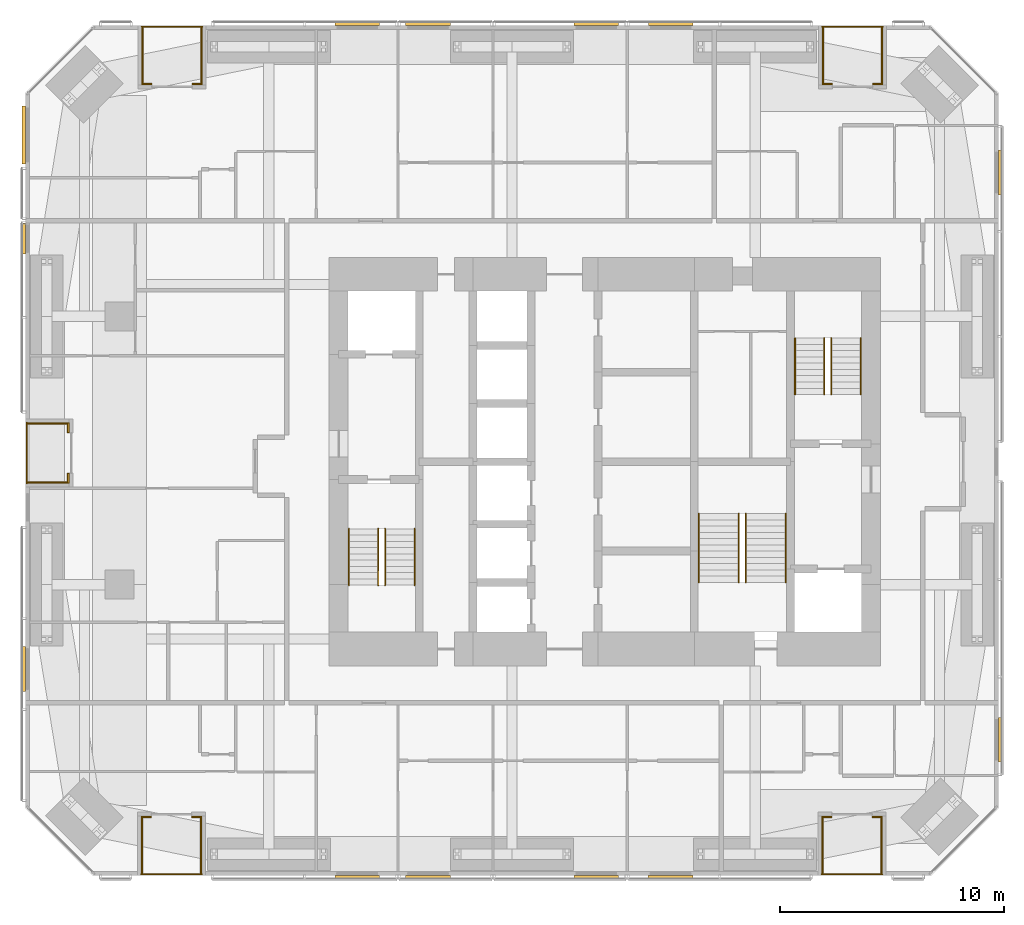
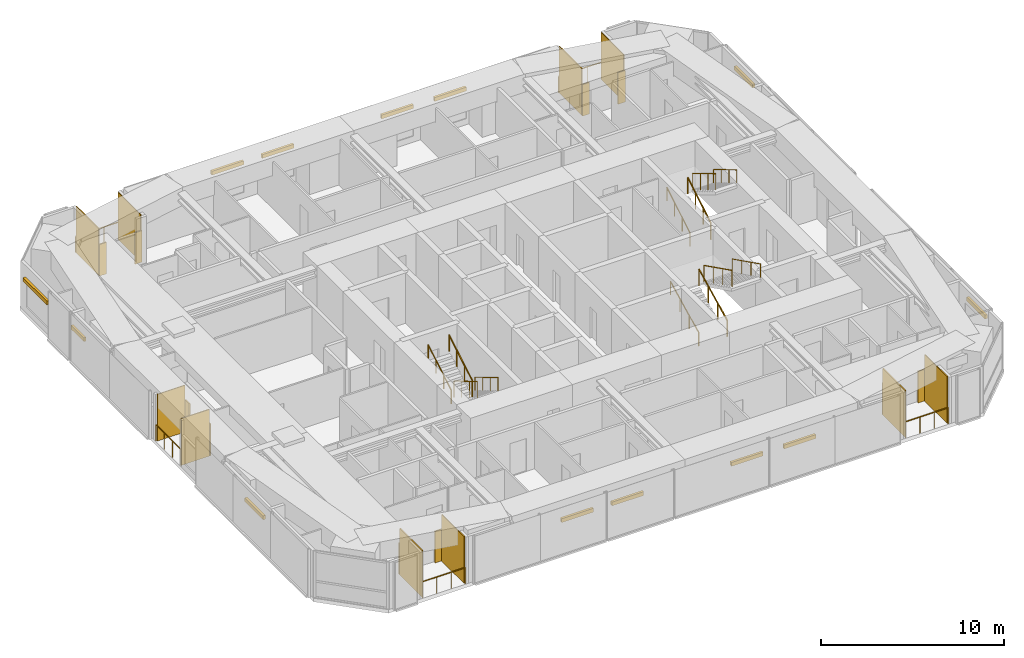
# One storey, part 23 of 23: 33 shading devices, 17 railings.
"""IFC4 building model written with IfcOpenShell, lengths in metres."""

from ifc_helpers import new_model, si_unit, direction, frame, origin, origin_2d, place, context, subcontext, project, spatial, rectangle, circle, extrude, material, layer, layer_set, constituent, constituent_set, type_object, element, save


model = new_model("IFC4")

# Units and contexts
model_context = context("Model", 3, precision=1e-05, world=origin(), true_north=direction((0.0, 1.0)))
body_context = subcontext(model_context, "Body", "Model", "MODEL_VIEW")
ifc_project = project(units=[si_unit("LENGTHUNIT", "METRE"), si_unit("AREAUNIT", "SQUARE_METRE"), si_unit("VOLUMEUNIT", "CUBIC_METRE"), si_unit("PLANEANGLEUNIT", "RADIAN"), si_unit("MASSUNIT", "GRAM", prefix="KILO")], contexts=[model_context])

# Site, building, storey
site_placement = place(None, origin())
site = spatial("IfcSite", under=ifc_project, at=site_placement, CompositionType="ELEMENT")
building_placement = place(site_placement, origin())
building = spatial("IfcBuilding", under=site, at=building_placement, Name="Jalousie Tower", CompositionType="ELEMENT")
storey_placement = place(building_placement, frame((0.0, 0.0, 121.60009765625)))
storey = spatial("IfcBuildingStorey", under=building, at=storey_placement, Name="L33", CompositionType="ELEMENT", Elevation=121.60009765625)

# Shading devices
ifc_material_1 = material(Name="Aluminium impact-rated louvred storm shutter", Category="aluminium")
shading_device_type_1 = type_object("IfcShadingDeviceType", Name="BI-FOLD STORM SHUTTER 900x2100", PredefinedType="SHUTTER", material=ifc_material_1)
for number, where, z_axis, x_axis, name in (
    (1, (11.4013671875, 2.610107421875, -0.000244140625), (0.0, 0.0, 1.0), (1.0, 0.0, 0.0), "Loggia storm shutter L33"),
    (2, (13.6513671875, 2.610107421875, -0.000244140625), (0.0, 0.0, 1.0), (1.0, 0.0, 0.0), "Loggia storm shutter L33"),
    (3, (41.824951171875, 2.610107421875, -0.000244140625), (0.0, 0.0, 1.0), (1.0, 0.0, 0.0), "Loggia storm shutter L33"),
    (4, (44.074951171875, 2.610107421875, -0.000244140625), (0.0, 0.0, 1.0), (1.0, 0.0, 0.0), "Loggia storm shutter L33"),
    (5, (44.0986328125, 35.389892578125, -0.000244140625), (0.0, 0.0, 1.0), (-1.0, 0.0, 0.0), "Loggia storm shutter L33"),
    (6, (41.8486328125, 35.389892578125, -0.000244140625), (0.0, 0.0, 1.0), (-1.0, 0.0, 0.0), "Loggia storm shutter L33"),
    (7, (13.675048828125, 35.389892578125, -0.000244140625), (0.0, 0.0, 1.0), (-1.0, 0.0, 0.0), "Loggia storm shutter L33"),
    (8, (11.425048828125, 35.389892578125, -0.000244140625), (0.0, 0.0, 1.0), (-1.0, 0.0, 0.0), "Loggia storm shutter L33"),
    (9, (7.909912109375, 20.012451171875, -0.000244140625), (0.0, 0.0, 1.0), (0.0, -1.0, 0.0), "Loggia storm shutter L33"),
    (10, (7.909912109375, 17.762451171875, -0.000244140625), (0.0, 0.0, 1.0), (0.0, -1.0, 0.0), "Loggia storm shutter L33"),
):
    element("IfcShadingDevice", number, at=place(storey_placement, frame(where, z_axis=z_axis, x_axis=x_axis)), inside=storey, type_object=shading_device_type_1, Name=name, PredefinedType="SHUTTER", context=body_context, shape_type="SweptSolid", body=[
        extrude(rectangle(XDim=0.449951171875, YDim=0.080078125, at=origin_2d()), origin(), (0.0, 0.0, 1.0), 2.10009765625),
    ])

# Railings
ifc_material_2 = material(Name="Powder-coated aluminium fretwork", Category="aluminium")
railing_type_1 = type_object("IfcRailingType", Name="FRETWORK BALUSTRADE 1100", PredefinedType="BALUSTRADE", material=ifc_material_2)
for number, where, name in (
    (11, (11.17626953125, 0.050048828125, 0.0), "Loggia fretwork balustrade L33"),
    (12, (41.60009765625, 0.050048828125, 0.0), "Loggia fretwork balustrade L33"),
):
    element("IfcRailing", number, at=place(storey_placement, frame(where)), inside=storey, type_object=railing_type_1, Name=name, PredefinedType="BALUSTRADE", context=body_context, shape_type="SweptSolid", body=[
        extrude(rectangle(XDim=0.048095703125, YDim=0.048095703125, at=origin_2d()), frame((0.0, 0.0, 1.076171875), z_axis=(1.0, 0.0, 0.0), x_axis=(0.0, 1.0, 0.0)), (0.0, 0.0, 1.0), 2.699951171875),
        extrude(circle(Radius=0.02099609375, at=origin_2d()), origin(), (0.0, 0.0, 1.0), 1.052001953125),
        extrude(circle(Radius=0.02099609375, at=origin_2d()), frame((0.89990234375, 0.0, 0.0)), (0.0, 0.0, 1.0), 1.052001953125),
        extrude(circle(Radius=0.02099609375, at=origin_2d()), frame((1.800048828125, 0.0, 0.0)), (0.0, 0.0, 1.0), 1.052001953125),
        extrude(circle(Radius=0.02099609375, at=origin_2d()), frame((2.699951171875, 0.0, 0.0)), (0.0, 0.0, 1.0), 1.052001953125),
    ])
for number, where, name in (
    (13, (44.32373046875, 37.949951171875, 0.0), "Loggia fretwork balustrade L33"),
    (14, (13.89990234375, 37.949951171875, 0.0), "Loggia fretwork balustrade L33"),
):
    element("IfcRailing", number, at=place(storey_placement, frame(where)), inside=storey, type_object=railing_type_1, Name=name, PredefinedType="BALUSTRADE", context=body_context, shape_type="SweptSolid", body=[
        extrude(rectangle(XDim=0.048095703125, YDim=0.048095703125, at=origin_2d()), frame((0.0, 0.0, 1.076171875), z_axis=(-1.0, 0.0, 0.0), x_axis=(0.0, -1.0, 0.0)), (0.0, 0.0, 1.0), 2.699951171875),
        extrude(circle(Radius=0.02099609375, at=origin_2d()), origin(), (0.0, 0.0, 1.0), 1.052001953125),
        extrude(circle(Radius=0.02099609375, at=origin_2d()), frame((-0.89990234375, 0.0, 0.0)), (0.0, 0.0, 1.0), 1.052001953125),
        extrude(circle(Radius=0.02099609375, at=origin_2d()), frame((-1.800048828125, 0.0, 0.0)), (0.0, 0.0, 1.0), 1.052001953125),
        extrude(circle(Radius=0.02099609375, at=origin_2d()), frame((-2.699951171875, 0.0, 0.0)), (0.0, 0.0, 1.0), 1.052001953125),
    ])
railing_1_placement = place(storey_placement, frame((6.050048828125, 20.24169921875, 0.0)))
element("IfcRailing", 15, at=railing_1_placement, inside=storey, type_object=railing_type_1, Name="Loggia fretwork balustrade L33", PredefinedType="BALUSTRADE", context=body_context, shape_type="SweptSolid", body=[
    extrude(rectangle(XDim=0.048095703125, YDim=0.048095703125, at=origin_2d()), frame((0.0, 0.0, 1.076171875), z_axis=(0.0, -1.0, 0.0), x_axis=(1.0, 0.0, 0.0)), (0.0, 0.0, 1.0), 2.70849609375),
    extrude(circle(Radius=0.02099609375, at=origin_2d()), origin(), (0.0, 0.0, 1.0), 1.052001953125),
    extrude(circle(Radius=0.02099609375, at=origin_2d()), frame((0.0, -0.90283203125, 0.0)), (0.0, 0.0, 1.0), 1.052001953125),
    extrude(circle(Radius=0.02099609375, at=origin_2d()), frame((0.0, -1.8056640625, 0.0)), (0.0, 0.0, 1.0), 1.052001953125),
    extrude(circle(Radius=0.02099609375, at=origin_2d()), frame((0.0, -2.70849609375, 0.0)), (0.0, 0.0, 1.0), 1.052001953125),
])

# Shading devices
ifc_material_3 = material(Name="Powder-coated aluminium louvres", Category="aluminium")
ifc_layer = layer(ifc_material_3, 0.06005859375)
ifc_layer_set = layer_set([ifc_layer], Name="Powder-coated aluminium louvres")
shading_device_type_2 = type_object("IfcShadingDeviceType", Name="JALOUSIE LOUVRE SCREEN", PredefinedType="JALOUSIE", material=ifc_layer_set)
for number, where, z_axis, x_axis, name in (
    (16, (11.206298828125, 1.324951171875, 0.0), (0.0, 0.0, 1.0), (1.0, 0.0, 0.0), "Loggia jalousie louvre screen L33"),
    (17, (13.84619140625, 1.324951171875, 0.0), (0.0, 0.0, 1.0), (1.0, 0.0, 0.0), "Loggia jalousie louvre screen L33"),
    (18, (41.6298828125, 1.324951171875, 0.0), (0.0, 0.0, 1.0), (1.0, 0.0, 0.0), "Loggia jalousie louvre screen L33"),
    (19, (44.27001953125, 1.324951171875, 0.0), (0.0, 0.0, 1.0), (1.0, 0.0, 0.0), "Loggia jalousie louvre screen L33"),
    (20, (44.293701171875, 36.675048828125, 0.0), (0.0, 0.0, 1.0), (-1.0, 0.0, 0.0), "Loggia jalousie louvre screen L33"),
    (21, (41.65380859375, 36.675048828125, 0.0), (0.0, 0.0, 1.0), (-1.0, 0.0, 0.0), "Loggia jalousie louvre screen L33"),
    (22, (13.8701171875, 36.675048828125, 0.0), (0.0, 0.0, 1.0), (-1.0, 0.0, 0.0), "Loggia jalousie louvre screen L33"),
    (23, (11.22998046875, 36.675048828125, 0.0), (0.0, 0.0, 1.0), (-1.0, 0.0, 0.0), "Loggia jalousie louvre screen L33"),
):
    element("IfcShadingDevice", number, at=place(storey_placement, frame(where, z_axis=z_axis, x_axis=x_axis)), inside=storey, type_object=shading_device_type_2, Name=name, PredefinedType="JALOUSIE", context=body_context, shape_type="SweptSolid", body=[
        extrude(rectangle(XDim=0.06005859375, YDim=2.449951171875, at=origin_2d()), origin(), (0.0, 0.0, 1.0), 3.110107421875),
    ])
for number, where, z_axis, x_axis, name in (
    (24, (6.97509765625, 20.211669921875, 0.0), (0.0, 0.0, 1.0), (0.0, -1.0, 0.0), "Loggia jalousie louvre screen L33"),
    (25, (6.97509765625, 17.563232421875, 0.0), (0.0, 0.0, 1.0), (0.0, -1.0, 0.0), "Loggia jalousie louvre screen L33"),
):
    element("IfcShadingDevice", number, at=place(storey_placement, frame(where, z_axis=z_axis, x_axis=x_axis)), inside=storey, type_object=shading_device_type_2, Name=name, PredefinedType="JALOUSIE", context=body_context, shape_type="SweptSolid", body=[
        extrude(rectangle(XDim=0.06005859375, YDim=1.75, at=origin_2d()), origin(), (0.0, 0.0, 1.0), 3.110107421875),
    ])

# Railings
ifc_material_4 = material(Name="Steel ASTM A500 Grade C", Category="steel")
ifc_constituent_1 = constituent(ifc_material_4, Name="Body")
ifc_material_5 = material(Name="Hot-dip galvanised zinc coating")
ifc_constituent_2 = constituent(ifc_material_5, Name="Finish")
ifc_constituent_set_1 = constituent_set(constituents=[ifc_constituent_1, ifc_constituent_2])
railing_type_2 = type_object("IfcRailingType", Name="STAIR GUARD 1100", PredefinedType="GUARDRAIL", material=ifc_constituent_set_1)
railing_2_placement = place(storey_placement, frame((22.080078125, 15.49755859375, 0.16748046875)))
element("IfcRailing", 26, at=railing_2_placement, inside=storey, type_object=railing_type_2, Name="Exit stair A guard L33 flight 1", PredefinedType="GUARDRAIL", context=body_context, shape_type="SweptSolid", body=[
    extrude(rectangle(XDim=0.048095703125, YDim=0.048095703125, at=origin_2d()), frame((0.0, 0.0, 1.076171875), z_axis=(0.0, -0.858196387827, 0.513321497621), x_axis=(1.0, 0.0, 0.0)), (0.0, 0.0, 1.0), 2.9365234375),
    extrude(circle(Radius=0.02099609375, at=origin_2d()), origin(), (0.0, 0.0, 1.0), 1.052001953125),
    extrude(circle(Radius=0.02099609375, at=origin_2d()), frame((0.0, -0.840087890625, 0.50244140625)), (0.0, 0.0, 1.0), 1.052001953125),
    extrude(circle(Radius=0.02099609375, at=origin_2d()), frame((0.0, -1.679931640625, 1.0048828125)), (0.0, 0.0, 1.0), 1.052001953125),
    extrude(circle(Radius=0.02099609375, at=origin_2d()), frame((0.0, -2.52001953125, 1.50732421875)), (0.0, 0.0, 1.0), 1.052001953125),
])
railing_3_placement = place(storey_placement, frame((21.77001953125, 12.9775390625, 1.84228515625)))
element("IfcRailing", 27, at=railing_3_placement, inside=storey, type_object=railing_type_2, Name="Exit stair A guard L33 flight 2", PredefinedType="GUARDRAIL", context=body_context, shape_type="SweptSolid", body=[
    extrude(rectangle(XDim=0.048095703125, YDim=0.048095703125, at=origin_2d()), frame((0.0, 0.0, 1.076171875), z_axis=(0.0, 0.858159760407, 0.513382728203), x_axis=(-1.0, 0.0, 0.0)), (0.0, 0.0, 1.0), 2.9365234375),
    extrude(circle(Radius=0.02099609375, at=origin_2d()), origin(), (0.0, 0.0, 1.0), 1.052001953125),
    extrude(circle(Radius=0.02099609375, at=origin_2d()), frame((0.0, 0.840087890625, 0.50244140625)), (0.0, 0.0, 1.0), 1.052001953125),
    extrude(circle(Radius=0.02099609375, at=origin_2d()), frame((0.0, 1.679931640625, 1.005126953125)), (0.0, 0.0, 1.0), 1.052001953125),
    extrude(circle(Radius=0.02099609375, at=origin_2d()), frame((0.0, 2.52001953125, 1.507568359375)), (0.0, 0.0, 1.0), 1.052001953125),
])
railing_4_placement = place(storey_placement, frame((41.719970703125, 21.50244140625, 0.16748046875)))
element("IfcRailing", 28, at=railing_4_placement, inside=storey, type_object=railing_type_2, Name="Exit stair B guard L33 flight 1", PredefinedType="GUARDRAIL", context=body_context, shape_type="SweptSolid", body=[
    extrude(rectangle(XDim=0.048095703125, YDim=0.048095703125, at=origin_2d()), frame((0.0, 0.0, 1.076171875), z_axis=(0.0, 0.858196387827, 0.513321497621), x_axis=(-1.0, 0.0, 0.0)), (0.0, 0.0, 1.0), 2.9365234375),
    extrude(circle(Radius=0.02099609375, at=origin_2d()), origin(), (0.0, 0.0, 1.0), 1.052001953125),
    extrude(circle(Radius=0.02099609375, at=origin_2d()), frame((0.0, 0.840087890625, 0.50244140625)), (0.0, 0.0, 1.0), 1.052001953125),
    extrude(circle(Radius=0.02099609375, at=origin_2d()), frame((0.0, 1.679931640625, 1.0048828125)), (0.0, 0.0, 1.0), 1.052001953125),
    extrude(circle(Radius=0.02099609375, at=origin_2d()), frame((0.0, 2.52001953125, 1.50732421875)), (0.0, 0.0, 1.0), 1.052001953125),
])
railing_5_placement = place(storey_placement, frame((42.030029296875, 24.0224609375, 1.84228515625)))
element("IfcRailing", 29, at=railing_5_placement, inside=storey, type_object=railing_type_2, Name="Exit stair B guard L33 flight 2", PredefinedType="GUARDRAIL", context=body_context, shape_type="SweptSolid", body=[
    extrude(rectangle(XDim=0.048095703125, YDim=0.048095703125, at=origin_2d()), frame((0.0, 0.0, 1.076171875), z_axis=(0.0, -0.858159760407, 0.513382728203), x_axis=(1.0, 0.0, 0.0)), (0.0, 0.0, 1.0), 2.9365234375),
    extrude(circle(Radius=0.02099609375, at=origin_2d()), origin(), (0.0, 0.0, 1.0), 1.052001953125),
    extrude(circle(Radius=0.02099609375, at=origin_2d()), frame((0.0, -0.840087890625, 0.50244140625)), (0.0, 0.0, 1.0), 1.052001953125),
    extrude(circle(Radius=0.02099609375, at=origin_2d()), frame((0.0, -1.679931640625, 1.005126953125)), (0.0, 0.0, 1.0), 1.052001953125),
    extrude(circle(Radius=0.02099609375, at=origin_2d()), frame((0.0, -2.52001953125, 1.507568359375)), (0.0, 0.0, 1.0), 1.052001953125),
])
railing_6_placement = place(storey_placement, frame((37.89501953125, 13.097412109375, 0.139404296875)))
element("IfcRailing", 30, at=railing_6_placement, inside=storey, type_object=railing_type_2, Name="Exit stair C guard L33 flight 1", PredefinedType="GUARDRAIL", context=body_context, shape_type="SweptSolid", body=[
    extrude(rectangle(XDim=0.048095703125, YDim=0.048095703125, at=origin_2d()), frame((0.0, 0.0, 1.076171875), z_axis=(0.0, 0.894965676997, 0.446134998624), x_axis=(-1.0, 0.0, 0.0)), (0.0, 0.0, 1.0), 3.441650390625),
    extrude(circle(Radius=0.02099609375, at=origin_2d()), origin(), (0.0, 0.0, 1.0), 1.052001953125),
    extrude(circle(Radius=0.02099609375, at=origin_2d()), frame((0.0, 1.026611328125, 0.51171875)), (0.0, 0.0, 1.0), 1.052001953125),
    extrude(circle(Radius=0.02099609375, at=origin_2d()), frame((0.0, 2.053466796875, 1.023681640625)), (0.0, 0.0, 1.0), 1.052001953125),
    extrude(circle(Radius=0.02099609375, at=origin_2d()), frame((0.0, 3.080078125, 1.535400390625)), (0.0, 0.0, 1.0), 1.052001953125),
])
railing_7_placement = place(storey_placement, frame((38.205078125, 16.177490234375, 1.814453125)))
element("IfcRailing", 31, at=railing_7_placement, inside=storey, type_object=railing_type_2, Name="Exit stair C guard L33 flight 2", PredefinedType="GUARDRAIL", context=body_context, shape_type="SweptSolid", body=[
    extrude(rectangle(XDim=0.048095703125, YDim=0.048095703125, at=origin_2d()), frame((0.0, 0.0, 1.076171875), z_axis=(0.0, -0.894965676997, 0.446134998624), x_axis=(1.0, 0.0, 0.0)), (0.0, 0.0, 1.0), 3.441650390625),
    extrude(circle(Radius=0.02099609375, at=origin_2d()), origin(), (0.0, 0.0, 1.0), 1.052001953125),
    extrude(circle(Radius=0.02099609375, at=origin_2d()), frame((0.0, -1.026611328125, 0.51171875)), (0.0, 0.0, 1.0), 1.052001953125),
    extrude(circle(Radius=0.02099609375, at=origin_2d()), frame((0.0, -2.053466796875, 1.023681640625)), (0.0, 0.0, 1.0), 1.052001953125),
    extrude(circle(Radius=0.02099609375, at=origin_2d()), frame((0.0, -3.080078125, 1.535400390625)), (0.0, 0.0, 1.0), 1.052001953125),
])
ifc_material_6 = material(Name="Steel ASTM A500 Grade C", Category="steel")
ifc_constituent_3 = constituent(ifc_material_6, Name="Body")
ifc_material_7 = material(Name="Hot-dip galvanised zinc coating")
ifc_constituent_4 = constituent(ifc_material_7, Name="Finish")
ifc_constituent_set_2 = constituent_set(constituents=[ifc_constituent_3, ifc_constituent_4])
railing_type_3 = type_object("IfcRailingType", Name="STAIR HANDRAIL 900", PredefinedType="HANDRAIL", material=ifc_constituent_set_2)
railing_8_placement = place(storey_placement, frame((23.39501953125, 15.49755859375, 0.16748046875)))
element("IfcRailing", 32, at=railing_8_placement, inside=storey, type_object=railing_type_3, Name="Exit stair A handrail L33 flight 1", PredefinedType="HANDRAIL", context=body_context, shape_type="SweptSolid", body=[
    extrude(circle(Radius=0.02392578125, at=origin_2d()), frame((0.0, 0.0, 0.8759765625), z_axis=(0.0, -0.858196387827, 0.513321497621), x_axis=(1.0, 0.0, 0.0)), (0.0, 0.0, 1.0), 2.9365234375),
    extrude(circle(Radius=0.02099609375, at=origin_2d()), origin(), (0.0, 0.0, 1.0), 0.851806640625),
    extrude(circle(Radius=0.02099609375, at=origin_2d()), frame((0.0, -0.840087890625, 0.50244140625)), (0.0, 0.0, 1.0), 0.851806640625),
    extrude(circle(Radius=0.02099609375, at=origin_2d()), frame((0.0, -1.679931640625, 1.0048828125)), (0.0, 0.0, 1.0), 0.851806640625),
    extrude(circle(Radius=0.02099609375, at=origin_2d()), frame((0.0, -2.52001953125, 1.50732421875)), (0.0, 0.0, 1.0), 0.851806640625),
])
railing_9_placement = place(storey_placement, frame((20.455078125, 12.9775390625, 1.84228515625)))
element("IfcRailing", 33, at=railing_9_placement, inside=storey, type_object=railing_type_3, Name="Exit stair A handrail L33 flight 2", PredefinedType="HANDRAIL", context=body_context, shape_type="SweptSolid", body=[
    extrude(circle(Radius=0.02392578125, at=origin_2d()), frame((0.0, 0.0, 0.8759765625), z_axis=(0.0, 0.858159760407, 0.513382728203), x_axis=(-1.0, 0.0, 0.0)), (0.0, 0.0, 1.0), 2.9365234375),
    extrude(circle(Radius=0.02099609375, at=origin_2d()), origin(), (0.0, 0.0, 1.0), 0.851806640625),
    extrude(circle(Radius=0.02099609375, at=origin_2d()), frame((0.0, 0.840087890625, 0.50244140625)), (0.0, 0.0, 1.0), 0.851806640625),
    extrude(circle(Radius=0.02099609375, at=origin_2d()), frame((0.0, 1.679931640625, 1.005126953125)), (0.0, 0.0, 1.0), 0.851806640625),
    extrude(circle(Radius=0.02099609375, at=origin_2d()), frame((0.0, 2.52001953125, 1.507568359375)), (0.0, 0.0, 1.0), 0.851806640625),
])
railing_10_placement = place(storey_placement, frame((40.405029296875, 21.50244140625, 0.16748046875)))
element("IfcRailing", 34, at=railing_10_placement, inside=storey, type_object=railing_type_3, Name="Exit stair B handrail L33 flight 1", PredefinedType="HANDRAIL", context=body_context, shape_type="SweptSolid", body=[
    extrude(circle(Radius=0.02392578125, at=origin_2d()), frame((0.0, 0.0, 0.8759765625), z_axis=(0.0, 0.858196387827, 0.513321497621), x_axis=(-1.0, 0.0, 0.0)), (0.0, 0.0, 1.0), 2.9365234375),
    extrude(circle(Radius=0.02099609375, at=origin_2d()), origin(), (0.0, 0.0, 1.0), 0.851806640625),
    extrude(circle(Radius=0.02099609375, at=origin_2d()), frame((0.0, 0.840087890625, 0.50244140625)), (0.0, 0.0, 1.0), 0.851806640625),
    extrude(circle(Radius=0.02099609375, at=origin_2d()), frame((0.0, 1.679931640625, 1.0048828125)), (0.0, 0.0, 1.0), 0.851806640625),
    extrude(circle(Radius=0.02099609375, at=origin_2d()), frame((0.0, 2.52001953125, 1.50732421875)), (0.0, 0.0, 1.0), 0.851806640625),
])
railing_11_placement = place(storey_placement, frame((43.344970703125, 24.0224609375, 1.84228515625)))
element("IfcRailing", 35, at=railing_11_placement, inside=storey, type_object=railing_type_3, Name="Exit stair B handrail L33 flight 2", PredefinedType="HANDRAIL", context=body_context, shape_type="SweptSolid", body=[
    extrude(circle(Radius=0.02392578125, at=origin_2d()), frame((0.0, 0.0, 0.8759765625), z_axis=(0.0, -0.858159760407, 0.513382728203), x_axis=(1.0, 0.0, 0.0)), (0.0, 0.0, 1.0), 2.9365234375),
    extrude(circle(Radius=0.02099609375, at=origin_2d()), origin(), (0.0, 0.0, 1.0), 0.851806640625),
    extrude(circle(Radius=0.02099609375, at=origin_2d()), frame((0.0, -0.840087890625, 0.50244140625)), (0.0, 0.0, 1.0), 0.851806640625),
    extrude(circle(Radius=0.02099609375, at=origin_2d()), frame((0.0, -1.679931640625, 1.005126953125)), (0.0, 0.0, 1.0), 0.851806640625),
    extrude(circle(Radius=0.02099609375, at=origin_2d()), frame((0.0, -2.52001953125, 1.507568359375)), (0.0, 0.0, 1.0), 0.851806640625),
])
railing_12_placement = place(storey_placement, frame((36.10498046875, 13.097412109375, 0.139404296875)))
element("IfcRailing", 36, at=railing_12_placement, inside=storey, type_object=railing_type_3, Name="Exit stair C handrail L33 flight 1", PredefinedType="HANDRAIL", context=body_context, shape_type="SweptSolid", body=[
    extrude(circle(Radius=0.02392578125, at=origin_2d()), frame((0.0, 0.0, 0.8759765625), z_axis=(0.0, 0.894965676997, 0.446134998624), x_axis=(-1.0, 0.0, 0.0)), (0.0, 0.0, 1.0), 3.441650390625),
    extrude(circle(Radius=0.02099609375, at=origin_2d()), origin(), (0.0, 0.0, 1.0), 0.851806640625),
    extrude(circle(Radius=0.02099609375, at=origin_2d()), frame((0.0, 1.026611328125, 0.51171875)), (0.0, 0.0, 1.0), 0.851806640625),
    extrude(circle(Radius=0.02099609375, at=origin_2d()), frame((0.0, 2.053466796875, 1.023681640625)), (0.0, 0.0, 1.0), 0.851806640625),
    extrude(circle(Radius=0.02099609375, at=origin_2d()), frame((0.0, 3.080078125, 1.535400390625)), (0.0, 0.0, 1.0), 0.851806640625),
])
railing_13_placement = place(storey_placement, frame((39.9951171875, 16.177490234375, 1.814453125)))
element("IfcRailing", 37, at=railing_13_placement, inside=storey, type_object=railing_type_3, Name="Exit stair C handrail L33 flight 2", PredefinedType="HANDRAIL", context=body_context, shape_type="SweptSolid", body=[
    extrude(circle(Radius=0.02392578125, at=origin_2d()), frame((0.0, 0.0, 0.8759765625), z_axis=(0.0, -0.894965676997, 0.446134998624), x_axis=(1.0, 0.0, 0.0)), (0.0, 0.0, 1.0), 3.441650390625),
    extrude(circle(Radius=0.02099609375, at=origin_2d()), origin(), (0.0, 0.0, 1.0), 0.851806640625),
    extrude(circle(Radius=0.02099609375, at=origin_2d()), frame((0.0, -1.026611328125, 0.51171875)), (0.0, 0.0, 1.0), 0.851806640625),
    extrude(circle(Radius=0.02099609375, at=origin_2d()), frame((0.0, -2.053466796875, 1.023681640625)), (0.0, 0.0, 1.0), 0.851806640625),
    extrude(circle(Radius=0.02099609375, at=origin_2d()), frame((0.0, -3.080078125, 1.535400390625)), (0.0, 0.0, 1.0), 0.851806640625),
])

# Shading devices
ifc_material_8 = material(Name="Aluminium roller storm shutter", Category="aluminium")
shading_device_type_3 = type_object("IfcShadingDeviceType", Name="STORM SHUTTER HOUSING", PredefinedType="SHUTTER", material=ifc_material_8)
for number, where, z_axis, x_axis, name in (
    (38, (20.824951171875, -0.074951171875, 2.099853515625), (0.0, 0.0, 1.0), (1.0, 0.0, 0.0), "Storm shutter L33"),
    (39, (23.9912109375, -0.074951171875, 2.099853515625), (0.0, 0.0, 1.0), (1.0, 0.0, 0.0), "Storm shutter L33"),
    (40, (31.514892578125, -0.074951171875, 2.099853515625), (0.0, 0.0, 1.0), (1.0, 0.0, 0.0), "Storm shutter L33"),
    (41, (34.840087890625, -0.074951171875, 2.099853515625), (0.0, 0.0, 1.0), (1.0, 0.0, 0.0), "Storm shutter L33"),
    (42, (49.574951171875, 6.0693359375, 2.099853515625), (0.0, 0.0, 1.0), (0.0, 1.0, 0.0), "Storm shutter L33"),
    (43, (49.574951171875, 31.4306640625, 2.099853515625), (0.0, 0.0, 1.0), (0.0, 1.0, 0.0), "Storm shutter L33"),
    (44, (34.85009765625, 38.074951171875, 2.099853515625), (0.0, 0.0, 1.0), (-1.0, 0.0, 0.0), "Storm shutter L33"),
    (45, (31.514892578125, 38.074951171875, 2.099853515625), (0.0, 0.0, 1.0), (-1.0, 0.0, 0.0), "Storm shutter L33"),
    (46, (23.9912109375, 38.074951171875, 2.099853515625), (0.0, 0.0, 1.0), (-1.0, 0.0, 0.0), "Storm shutter L33"),
    (47, (20.824951171875, 38.074951171875, 2.099853515625), (0.0, 0.0, 1.0), (-1.0, 0.0, 0.0), "Storm shutter L33"),
):
    element("IfcShadingDevice", number, at=place(storey_placement, frame(where, z_axis=z_axis, x_axis=x_axis)), inside=storey, type_object=shading_device_type_3, Name=name, PredefinedType="SHUTTER", context=body_context, shape_type="SweptSolid", body=[
        extrude(rectangle(XDim=2.0, YDim=0.14990234375, at=origin_2d()), origin(), (0.0, 0.0, 1.0), 0.25),
    ])
shading_device_1_placement = place(storey_placement, frame((5.925048828125, 33.1123046875, 2.099853515625), z_axis=(0.0, 0.0, 1.0), x_axis=(0.0, -1.0, 0.0)))
element("IfcShadingDevice", 48, at=shading_device_1_placement, inside=storey, type_object=shading_device_type_3, Name="Storm shutter L33", PredefinedType="SHUTTER", context=body_context, shape_type="SweptSolid", body=[
    extrude(rectangle(XDim=2.60009765625, YDim=0.14990234375, at=origin_2d()), origin(), (0.0, 0.0, 1.0), 0.25),
])
shading_device_2_placement = place(storey_placement, frame((5.925048828125, 28.47509765625, 2.099853515625), z_axis=(0.0, 0.0, 1.0), x_axis=(0.0, -1.0, 0.0)))
element("IfcShadingDevice", 49, at=shading_device_2_placement, inside=storey, type_object=shading_device_type_3, Name="Storm shutter L33", PredefinedType="SHUTTER", context=body_context, shape_type="SweptSolid", body=[
    extrude(rectangle(XDim=1.39990234375, YDim=0.14990234375, at=origin_2d()), origin(), (0.0, 0.0, 1.0), 0.25),
])
shading_device_3_placement = place(storey_placement, frame((5.925048828125, 9.22509765625, 2.099853515625), z_axis=(0.0, 0.0, 1.0), x_axis=(0.0, -1.0, 0.0)))
element("IfcShadingDevice", 50, at=shading_device_3_placement, inside=storey, type_object=shading_device_type_3, Name="Storm shutter L33", PredefinedType="SHUTTER", context=body_context, shape_type="SweptSolid", body=[
    extrude(rectangle(XDim=2.0, YDim=0.14990234375, at=origin_2d()), origin(), (0.0, 0.0, 1.0), 0.25),
])

save(model, "model.ifc")
